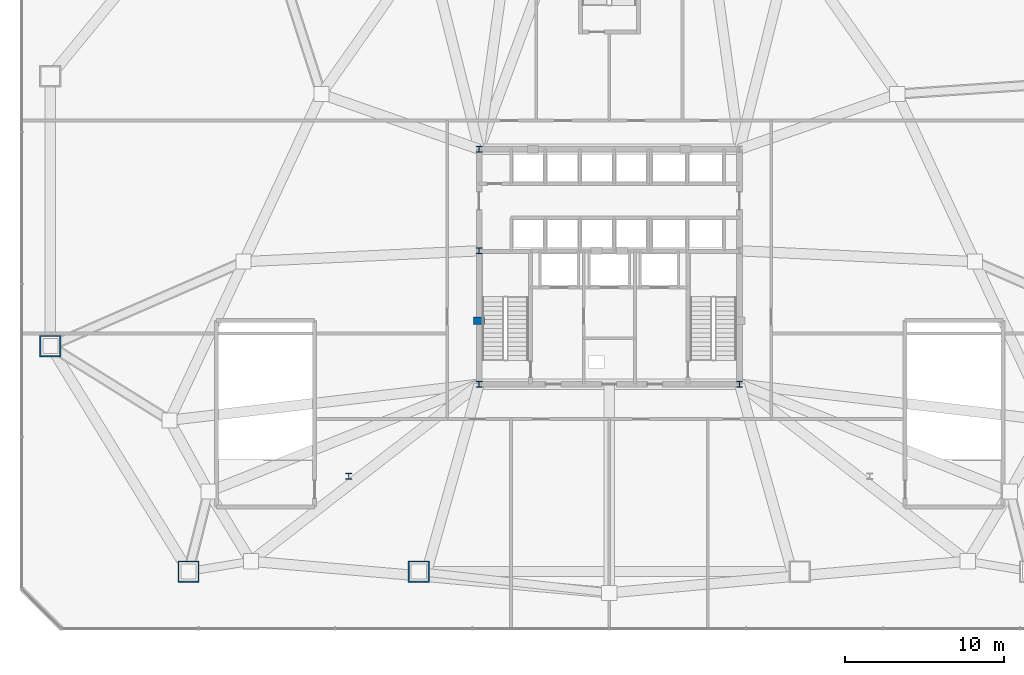
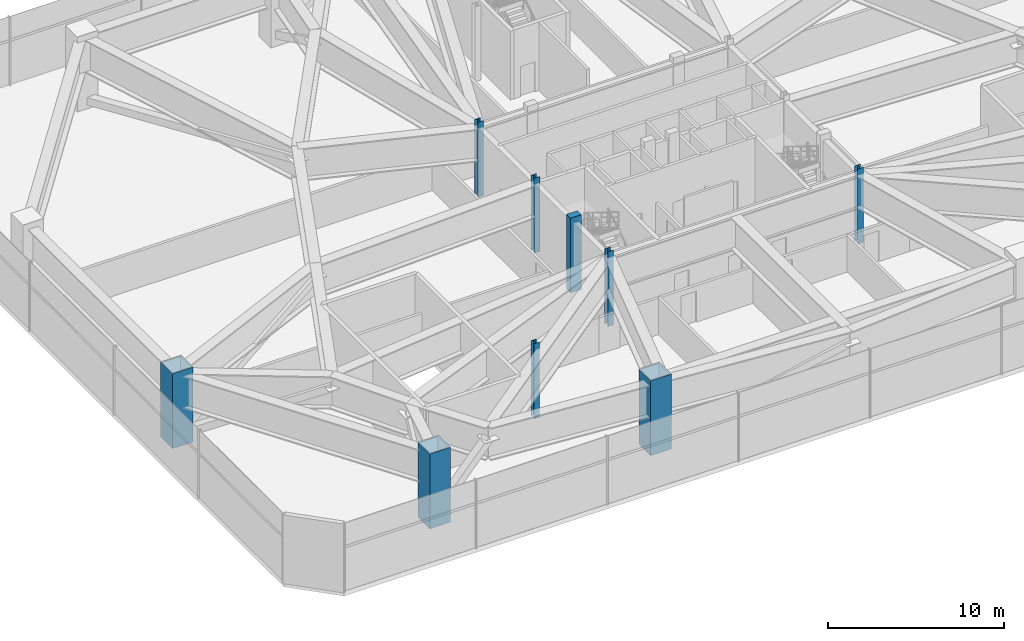
# One storey, part 1 of 29: 9 columns.
"""IFC4 building model written with IfcOpenShell, lengths in metres."""

from ifc_helpers import new_model, si_unit, direction, frame, origin, origin_2d, place, context, subcontext, project, spatial, rectangle, hollow_rectangle, i_section, extrude, material, material_profile, profile_set, type_object, element, save


model = new_model("IFC4")

# Units and contexts
model_context = context("Model", 3, precision=1e-05, world=origin(), true_north=direction((0.0, 1.0)))
body_context = subcontext(model_context, "Body", "Model", "MODEL_VIEW")
ifc_project = project(units=[si_unit("LENGTHUNIT", "METRE"), si_unit("AREAUNIT", "SQUARE_METRE"), si_unit("VOLUMEUNIT", "CUBIC_METRE"), si_unit("PLANEANGLEUNIT", "RADIAN"), si_unit("MASSUNIT", "GRAM", prefix="KILO")], contexts=[model_context])

# Site, building, storey
site_placement = place(None, origin())
site = spatial("IfcSite", under=ifc_project, at=site_placement, CompositionType="ELEMENT")
building_placement = place(site_placement, origin())
building = spatial("IfcBuilding", under=site, at=building_placement, Name="Varakhsha Concourse Tower", CompositionType="ELEMENT")
storey_placement = place(building_placement, frame((0.0, 0.0, 22.0)))
storey = spatial("IfcBuildingStorey", under=building, at=storey_placement, Name="L05", CompositionType="ELEMENT", Elevation=22.0)

# Columns
ifc_material_1 = material(Name="Structural Steel ASTM A992 Grade 50", Category="steel")
ifc_material_profile_1 = material_profile(ifc_material_1, i_section(OverallWidth=0.3740234375, OverallDepth=0.3720703125, WebThickness=0.01611328125, FlangeThickness=0.02587890625, at=origin_2d()), Name="W14X132")
ifc_profile_set_1 = profile_set([ifc_material_profile_1], Name="Structural Steel ASTM A992 Grade 50")
column_type_1 = type_object("IfcColumnType", Name="CL-CORE-W14X132", PredefinedType="COLUMN", material=ifc_profile_set_1)
for number, where, z_axis, x_axis, name in (
    (1, (31.800048828125, 16.39990234375, 0.0), (0.0, 0.0, 1.0), (1.0, 0.0, 0.0), "L05 Core Column CC-SW"),
    (2, (48.199951171875, 16.39990234375, 0.0), (0.0, 0.0, 1.0), (1.0, 0.0, 0.0), "L05 Core Column CC-SE"),
    (3, (31.800048828125, 24.800048828125, 0.0), (0.0, 0.0, 1.0), (1.0, 0.0, 0.0), "L05 Core Column CC-MW"),
    (4, (31.800048828125, 31.199951171875, 0.0), (0.0, 0.0, 1.0), (1.0, 0.0, 0.0), "L05 Core Column CC-NW"),
    (5, (23.60009765625, 10.60009765625, 0.0), (0.0, 0.0, 1.0), (1.0, 0.0, 0.0), "L05 Core Column SS-W"),
):
    element("IfcColumn", number, at=place(storey_placement, frame(where, z_axis=z_axis, x_axis=x_axis)), inside=storey, type_object=column_type_1, Name=name, PredefinedType="COLUMN", context=body_context, shape_type="SweptSolid", body=[
        extrude(i_section(OverallWidth=0.3740234375, OverallDepth=0.3720703125, WebThickness=0.01611328125, FlangeThickness=0.02587890625, at=origin_2d()), origin(), (0.0, 0.0, 1.0), 5.199951171875),
    ])
ifc_material_2 = material(Name="Concrete fc 65 MPa", Category="concrete")
ifc_material_profile_2 = material_profile(ifc_material_2, rectangle(XDim=0.699951171875, YDim=0.449951171875, at=origin_2d()), Name="RC 700x450")
ifc_profile_set_2 = profile_set([ifc_material_profile_2], Name="Concrete fc 65 MPa")
column_type_2 = type_object("IfcColumnType", Name="CL-PIL-700X450", PredefinedType="PILASTER", material=ifc_profile_set_2)
column_placement = place(storey_placement, frame((31.800048828125, 20.39990234375, 0.0), z_axis=(0.0, 0.0, 1.0), x_axis=(1.0, 0.0, 0.0)))
element("IfcColumn", 6, at=column_placement, inside=storey, type_object=column_type_2, Name="L05 Core Boundary Pilaster PIL-W1", PredefinedType="PILASTER", context=body_context, shape_type="SweptSolid", body=[
    extrude(rectangle(XDim=0.699951171875, YDim=0.449951171875, at=origin_2d()), origin(), (0.0, 0.0, 1.0), 5.199951171875),
])
ifc_material_3 = material(Name="Structural Steel ASTM A572 Grade 50", Category="steel")
ifc_material_profile_3 = material_profile(ifc_material_3, hollow_rectangle(XDim=1.35009765625, YDim=1.35009765625, WallThickness=0.0849609375, at=origin_2d()), Name="BOX 1350x1350x85")
ifc_profile_set_3 = profile_set([ifc_material_profile_3], Name="Structural Steel ASTM A572 Grade 50")
column_type_3 = type_object("IfcColumnType", Name="CL-STILT-1350", PredefinedType="COLUMN", material=ifc_profile_set_3)
for number, where, z_axis, x_axis, name in (
    (7, (13.5, 4.60009765625, 0.0), (0.0, 0.0, 1.0), (1.0, 0.0, 0.0), "L05 Podium Mega-Column PC-S1"),
    (8, (28.0, 4.60009765625, 0.0), (0.0, 0.0, 1.0), (1.0, 0.0, 0.0), "L05 Podium Mega-Column PC-S2"),
    (9, (4.800048828125, 18.800048828125, 0.0), (0.0, 0.0, 1.0), (1.0, 0.0, 0.0), "L05 Podium Mega-Column PC-W1"),
):
    element("IfcColumn", number, at=place(storey_placement, frame(where, z_axis=z_axis, x_axis=x_axis)), inside=storey, type_object=column_type_3, Name=name, PredefinedType="COLUMN", context=body_context, shape_type="SweptSolid", body=[
        extrude(hollow_rectangle(XDim=1.35009765625, YDim=1.35009765625, WallThickness=0.0849609375, at=origin_2d()), origin(), (0.0, 0.0, 1.0), 5.199951171875),
    ])

save(model, "model.ifc")
